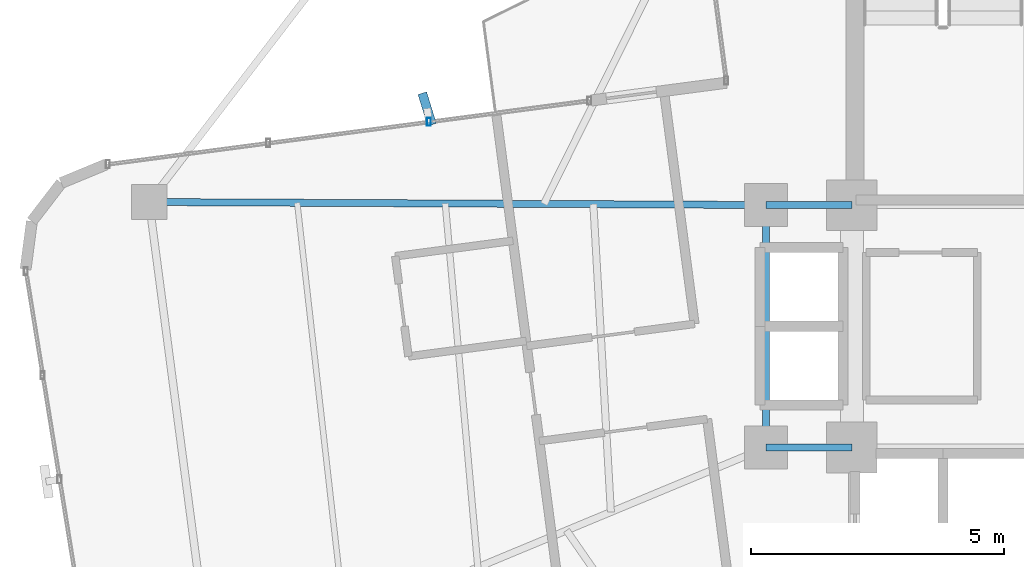
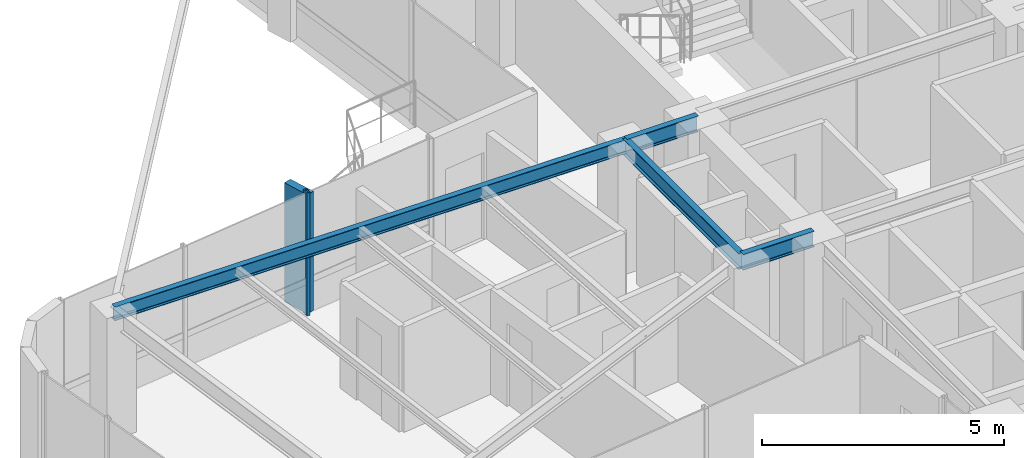
# One storey, part 8 of 22: 4 beams, 2 members, 1 element without a shape of its own.
"""IFC4 building model written with IfcOpenShell, lengths in metres."""

from ifc_helpers import new_model, si_unit, direction, frame, origin, origin_2d, place, context, subcontext, project, spatial, rectangle, hollow_rectangle, i_section, extrude, source, transform, mapped, material, material_profile, profile_set, type_object, element, aggregate, save


model = new_model("IFC4")

# Units and contexts
model_context = context("Model", 3, precision=1e-05, world=origin(), true_north=direction((0.0, 1.0)))
body_context = subcontext(model_context, "Body", "Model", "MODEL_VIEW")
ifc_project = project(units=[si_unit("LENGTHUNIT", "METRE"), si_unit("AREAUNIT", "SQUARE_METRE"), si_unit("VOLUMEUNIT", "CUBIC_METRE"), si_unit("PLANEANGLEUNIT", "RADIAN"), si_unit("MASSUNIT", "GRAM", prefix="KILO")], contexts=[model_context])

# Site, building, storey
site_placement = place(None, origin())
site = spatial("IfcSite", under=ifc_project, at=site_placement, CompositionType="ELEMENT")
building_placement = place(site_placement, origin())
building = spatial("IfcBuilding", under=site, at=building_placement, Name="Sahyath Konkavel Grand Hotel", CompositionType="ELEMENT")
storey_placement = place(building_placement, frame((0.0, 0.0, 269.10009765625)))
storey = spatial("IfcBuildingStorey", under=building, at=storey_placement, Name="L75", CompositionType="ELEMENT", Elevation=269.10009765625)

# Beams
ifc_material_1 = material(Name="Steel E350", Category="steel")
ifc_material_profile_1 = material_profile(ifc_material_1, i_section(OverallWidth=0.139892578125, OverallDepth=0.39990234375, WebThickness=0.0087890625, FlangeThickness=0.01611328125, FilletRadius=0.013916015625, at=origin_2d()), Name="ISMB 400")
ifc_profile_set_1 = profile_set([ifc_material_profile_1], Name="Steel E350")
beam_type_1 = type_object("IfcBeamType", Name="BM-ISMB400", PredefinedType="BEAM", material=ifc_profile_set_1)
shared_shape_1 = source(origin(), body_context, "Body", "SweptSolid", [
    extrude(i_section(OverallWidth=0.139892578125, OverallDepth=0.39990234375, WebThickness=0.0087890625, FlangeThickness=0.01611328125, FilletRadius=0.013916015625, at=origin_2d()), origin(), (0.0, 0.0, 1.0), 1.699951171875),
])
for number, where, z_axis, x_axis, name in (
    (1, (-5.5, 2.39990234375, 2.909912109375), (1.0, 0.0, 0.0), (0.0, 1.0, 0.0), "str:bm:L75:HB-NW"),
    (2, (-5.5, -2.39990234375, 2.909912109375), (1.0, 0.0, 0.0), (0.0, 1.0, 0.0), "str:bm:L75:HB-SW"),
):
    element("IfcBeam", number, at=place(storey_placement, frame(where, z_axis=z_axis, x_axis=x_axis)), inside=storey, type_object=beam_type_1, Name=name, PredefinedType="BEAM", context=body_context, shape_type="MappedRepresentation", body=[
        mapped(shared_shape_1, transform((0.0, 0.0, 0.0), scale=1.0)),
    ])
shared_shape_2 = source(origin(), body_context, "Body", "SweptSolid", [
    extrude(i_section(OverallWidth=0.139892578125, OverallDepth=0.39990234375, WebThickness=0.0087890625, FlangeThickness=0.01611328125, FilletRadius=0.013916015625, at=origin_2d()), origin(), (0.0, 0.0, 1.0), 4.7998046875),
])
beam_1_placement = place(storey_placement, frame((-5.5, -2.39990234375, 2.909912109375), z_axis=(0.0, 1.0, 0.0), x_axis=(-1.0, 0.0, 0.0)))
element("IfcBeam", 3, at=beam_1_placement, inside=storey, type_object=beam_type_1, Name="str:bm:L75:HB-W", PredefinedType="BEAM", context=body_context, shape_type="MappedRepresentation", body=[
    mapped(shared_shape_2, transform((0.0, 0.0, 0.0), scale=1.0)),
])
ifc_material_profile_2 = material_profile(ifc_material_1, i_section(OverallWidth=0.139892578125, OverallDepth=0.35009765625, WebThickness=0.008056640625, FlangeThickness=0.01416015625, FilletRadius=0.013916015625, at=origin_2d()), Name="ISMB 350")
ifc_profile_set_2 = profile_set([ifc_material_profile_2], Name="Steel E350")
beam_type_2 = type_object("IfcBeamType", Name="BM-ISMB350", PredefinedType="BEAM", material=ifc_profile_set_2)
shared_shape_3 = source(origin(), body_context, "Body", "SweptSolid", [
    extrude(i_section(OverallWidth=0.139892578125, OverallDepth=0.35009765625, WebThickness=0.008056640625, FlangeThickness=0.01416015625, FilletRadius=0.013916015625, at=origin_2d()), origin(), (0.0, 0.0, 1.0), 12.212646484375),
])
beam_2_placement = place(storey_placement, frame((-5.5, 2.39990234375, 2.934814453125), z_axis=(-0.999988297706, 0.004837814722, 0.0), x_axis=(-0.004837814722, -0.999988297706, 0.0)))
element("IfcBeam", 4, at=beam_2_placement, inside=storey, type_object=beam_type_2, Name="L75 Cruciform Radial Girder WA", PredefinedType="BEAM", context=body_context, shape_type="MappedRepresentation", body=[
    mapped(shared_shape_3, transform((0.0, 0.0, 0.0), scale=1.0)),
])

# Curtain wall, members
ifc_material_2 = material(Name="Anodised Bronze Aluminium & Low-E Glazing", Category="aluminium")
curtain_wall_type = type_object("IfcCurtainWallType", Name="CW-ZONE4", PredefinedType="NOTDEFINED", material=ifc_material_2)
curtain_wall_placement = place(storey_placement, origin())
curtain_wall = element("IfcCurtainWall", 5, at=curtain_wall_placement, inside=storey, type_object=curtain_wall_type, Name="L75 Unitised Curtain Wall F16", PredefinedType="NOTDEFINED")
ifc_material_3 = material(Name="Anodised Bronze Aluminium", Category="aluminium")
ifc_material_profile_3 = material_profile(ifc_material_3, hollow_rectangle(XDim=0.080078125, YDim=0.159912109375, WallThickness=0.006103515625, at=origin_2d()), Name="RHS 160x80x6")
ifc_profile_set_3 = profile_set([ifc_material_profile_3], Name="Anodised Bronze Aluminium")
member_type_1 = type_object("IfcMemberType", Name="CW-MUL-160", PredefinedType="MULLION", material=ifc_profile_set_3)
shared_shape_4 = source(origin(), body_context, "Body", "SweptSolid", [
    extrude(hollow_rectangle(XDim=0.080078125, YDim=0.159912109375, WallThickness=0.006103515625, at=origin_2d()), origin(), (0.0, 0.0, 1.0), 3.10986328125),
])
member_1_placement = place(storey_placement, frame((-12.175537109375, 4.04541015625, 0.0), z_axis=(0.0, 0.0, 1.0), x_axis=(1.0, 0.0, 0.0)))
member_1 = element("IfcMember", 6, at=member_1_placement, type_object=member_type_1, Name="L75 Curtain Wall Mullion F16-1", PredefinedType="MULLION", context=body_context, shape_type="MappedRepresentation", body=[
    mapped(shared_shape_4, transform((0.0, 0.0, 0.0), scale=1.0)),
])
ifc_material_4 = material(Name="Warm Buff Sandstone Cladding on Concrete C50/60", Category="masonry")
ifc_material_profile_4 = material_profile(ifc_material_4, rectangle(XDim=0.179931640625, YDim=0.64990234375, at=origin_2d()), Name="FIN 180x650")
ifc_profile_set_4 = profile_set([ifc_material_profile_4], Name="Warm Buff Sandstone Cladding on Concrete C50/60")
member_type_2 = type_object("IfcMemberType", Name="FIN-SANDSTONE-650", PredefinedType="MULLION", material=ifc_profile_set_4)
shared_shape_5 = source(origin(), body_context, "Body", "SweptSolid", [
    extrude(rectangle(XDim=0.179931640625, YDim=0.64990234375, at=origin_2d()), origin(), (0.0, 0.0, 1.0), 3.010009765625),
])
member_2_placement = place(storey_placement, frame((-12.20947265625, 4.30322265625, 0.0498046875), z_axis=(0.0, 0.0, 1.0), x_axis=(0.955690317134, 0.294373942013, 0.0)))
member_2 = element("IfcMember", 7, at=member_2_placement, type_object=member_type_2, Name="L75 Sandstone Vertical Solar Fin FIN F16-1", PredefinedType="MULLION", context=body_context, shape_type="MappedRepresentation", body=[
    mapped(shared_shape_5, transform((0.0, 0.0, 0.0), scale=1.0)),
])
aggregate(curtain_wall, [member_1, member_2])

save(model, "model.ifc")
